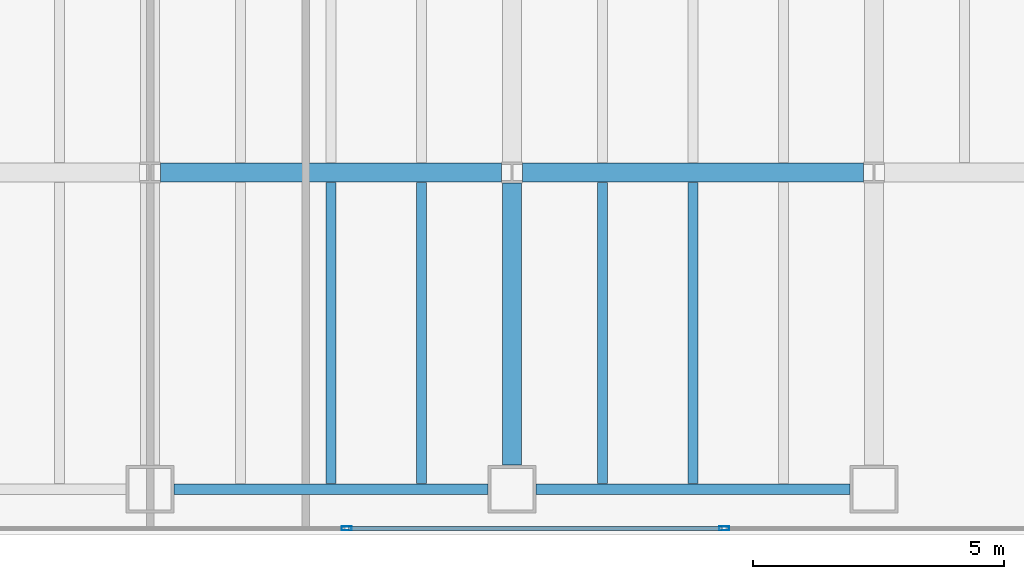
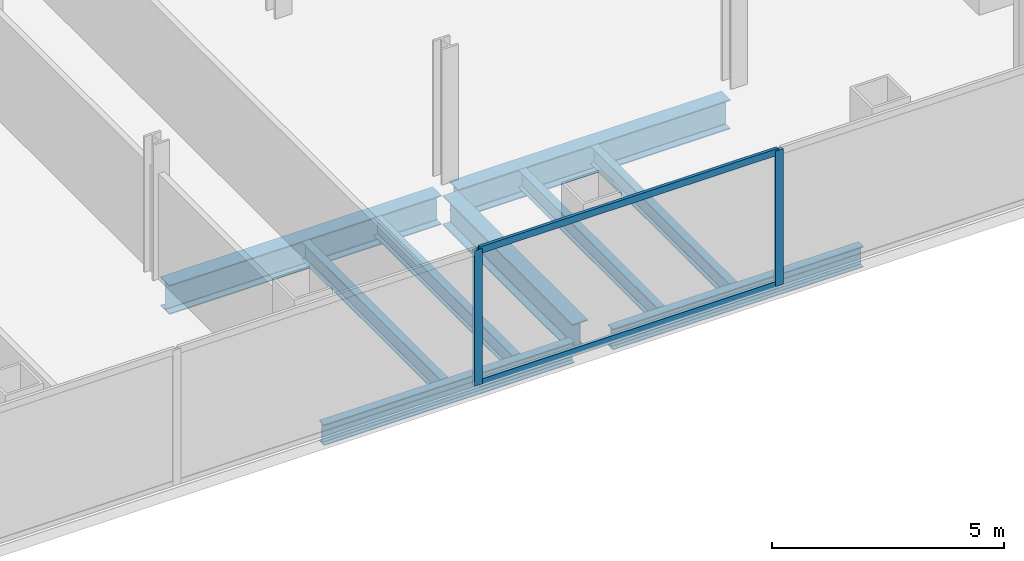
# One storey, part 7 of 23: 9 beams, 4 members, 1 element without a shape of its own.
"""IFC4 building model written with IfcOpenShell, lengths in metres."""

from ifc_helpers import new_model, si_unit, direction, frame, origin, origin_2d, place, context, subcontext, project, spatial, hollow_rectangle, i_section, extrude, material, material_profile, profile_set, type_object, element, aggregate, save


model = new_model("IFC4")

# Units and contexts
model_context = context("Model", 3, precision=1e-05, world=origin(), true_north=direction((0.0, 1.0)))
body_context = subcontext(model_context, "Body", "Model", "MODEL_VIEW")
ifc_project = project(units=[si_unit("LENGTHUNIT", "METRE"), si_unit("AREAUNIT", "SQUARE_METRE"), si_unit("VOLUMEUNIT", "CUBIC_METRE"), si_unit("PLANEANGLEUNIT", "RADIAN"), si_unit("MASSUNIT", "GRAM", prefix="KILO")], contexts=[model_context])

# Site, building, storey
site_placement = place(None, origin())
site = spatial("IfcSite", under=ifc_project, at=site_placement, CompositionType="ELEMENT")
building_placement = place(site_placement, origin())
building = spatial("IfcBuilding", under=site, at=building_placement, Name="Cobrela Telecom Tower", CompositionType="ELEMENT")
storey_placement = place(building_placement, frame((0.0, 0.0, 81.199951171875)))
storey = spatial("IfcBuildingStorey", under=building, at=storey_placement, Name="L20", CompositionType="ELEMENT", Elevation=81.199951171875)

# Beams
ifc_material_1 = material(Name="Steel ASTM A992 Grade 50", Category="steel")
ifc_material_profile_1 = material_profile(ifc_material_1, i_section(OverallWidth=0.381103515625, OverallDepth=0.77197265625, WebThickness=0.0166015625, FlangeThickness=0.027099609375, FilletRadius=0.01904296875, at=origin_2d()), Name="W30X173")
ifc_profile_set_1 = profile_set([ifc_material_profile_1], Name="Steel ASTM A992 Grade 50")
beam_type_1 = type_object("IfcBeamType", Name="BM-GIRD-04", PredefinedType="USERDEFINED", material=ifc_profile_set_1)
for number, where, z_axis, x_axis, name in (
    (1, (29.009521484375, 7.199951171875, -0.666015625), (1.0, 0.0, 0.0), (0.0, 1.0, 0.0), "L20 Primary Girder X10"),
    (2, (36.20947265625, 7.199951171875, -0.666015625), (1.0, 0.0, 0.0), (0.0, 1.0, 0.0), "L20 Primary Girder X11"),
):
    element("IfcBeam", number, at=place(storey_placement, frame(where, z_axis=z_axis, x_axis=x_axis)), inside=storey, type_object=beam_type_1, Name=name, ObjectType="GIRDER", PredefinedType="USERDEFINED", context=body_context, shape_type="SweptSolid", body=[
        extrude(i_section(OverallWidth=0.381103515625, OverallDepth=0.77197265625, WebThickness=0.0166015625, FlangeThickness=0.027099609375, FilletRadius=0.01904296875, at=origin_2d()), origin(), (0.0, 0.0, 1.0), 6.781005859375),
    ])
beam_placement = place(storey_placement, frame((36.0, 1.3798828125, -0.666015625), z_axis=(0.0, 1.0, 0.0), x_axis=(-1.0, 0.0, 0.0)))
element("IfcBeam", 3, at=beam_placement, inside=storey, type_object=beam_type_1, Name="L20 Primary Girder Y50", ObjectType="GIRDER", PredefinedType="USERDEFINED", context=body_context, shape_type="SweptSolid", body=[
    extrude(i_section(OverallWidth=0.381103515625, OverallDepth=0.77197265625, WebThickness=0.0166015625, FlangeThickness=0.027099609375, FilletRadius=0.01904296875, at=origin_2d()), origin(), (0.0, 0.0, 1.0), 5.610595703125),
])
ifc_material_profile_2 = material_profile(ifc_material_1, i_section(OverallWidth=0.193115234375, OverallDepth=0.467041015625, WebThickness=0.011474609375, FlangeThickness=0.01904296875, FilletRadius=0.012939453125, at=origin_2d()), Name="W18X65")
ifc_profile_set_2 = profile_set([ifc_material_profile_2], Name="Steel ASTM A992 Grade 50")
beam_type_2 = type_object("IfcBeamType", Name="BM-JOIST-03", PredefinedType="JOIST", material=ifc_profile_set_2)
for number, where, z_axis, x_axis, name in (
    (4, (32.39990234375, 1.011474609375, -0.513427734375), (0.0, 1.0, 0.0), (-1.0, 0.0, 0.0), "L20 Secondary Composite Floor Beam J44"),
    (5, (34.199951171875, 1.011474609375, -0.513427734375), (0.0, 1.0, 0.0), (-1.0, 0.0, 0.0), "L20 Secondary Composite Floor Beam J47"),
    (6, (37.800048828125, 1.011474609375, -0.513427734375), (0.0, 1.0, 0.0), (-1.0, 0.0, 0.0), "L20 Secondary Composite Floor Beam J50"),
    (7, (39.60009765625, 1.011474609375, -0.513427734375), (0.0, 1.0, 0.0), (-1.0, 0.0, 0.0), "L20 Secondary Composite Floor Beam J53"),
):
    element("IfcBeam", number, at=place(storey_placement, frame(where, z_axis=z_axis, x_axis=x_axis)), inside=storey, type_object=beam_type_2, Name=name, PredefinedType="JOIST", context=body_context, shape_type="SweptSolid", body=[
        extrude(i_section(OverallWidth=0.193115234375, OverallDepth=0.467041015625, WebThickness=0.011474609375, FlangeThickness=0.01904296875, FilletRadius=0.012939453125, at=origin_2d()), origin(), (0.0, 0.0, 1.0), 5.992919921875),
    ])
ifc_material_profile_3 = material_profile(ifc_material_1, i_section(OverallWidth=0.212890625, OverallDepth=0.549072265625, WebThickness=0.0146484375, FlangeThickness=0.023681640625, FilletRadius=0.013916015625, at=origin_2d()), Name="W21X93")
ifc_profile_set_3 = profile_set([ifc_material_profile_3], Name="Steel ASTM A992 Grade 50")
beam_type_3 = type_object("IfcBeamType", Name="BM-SPAND-03", PredefinedType="SPANDREL", material=ifc_profile_set_3)
for number, where, z_axis, x_axis, name in (
    (8, (29.280029296875, 0.89990234375, -0.554443359375), (1.0, 0.0, 0.0), (0.0, 1.0, 0.0), "L20 Perimeter Spandrel X04"),
    (9, (36.47998046875, 0.89990234375, -0.554443359375), (1.0, 0.0, 0.0), (0.0, 1.0, 0.0), "L20 Perimeter Spandrel X05"),
):
    element("IfcBeam", number, at=place(storey_placement, frame(where, z_axis=z_axis, x_axis=x_axis)), inside=storey, type_object=beam_type_3, Name=name, PredefinedType="SPANDREL", context=body_context, shape_type="SweptSolid", body=[
        extrude(i_section(OverallWidth=0.212890625, OverallDepth=0.549072265625, WebThickness=0.0146484375, FlangeThickness=0.023681640625, FilletRadius=0.013916015625, at=origin_2d()), origin(), (0.0, 0.0, 1.0), 6.239990234375),
    ])

# Curtain wall, members
ifc_material_2 = material(Name="Anodized Bronze Aluminium 6063-T6", Category="aluminium")
curtain_wall_type = type_object("IfcCurtainWallType", Name="CW-SYS-DATA", PredefinedType="USERDEFINED", material=ifc_material_2)
curtain_wall_placement = place(storey_placement, origin())
curtain_wall = element("IfcCurtainWall", 10, at=curtain_wall_placement, inside=storey, type_object=curtain_wall_type, Name="L20 Unitised Bronze Curtain Wall 17", ObjectType="UNITISED CURTAIN WALL", PredefinedType="USERDEFINED")
ifc_material_profile_4 = material_profile(ifc_material_2, hollow_rectangle(XDim=0.080078125, YDim=0.199951171875, WallThickness=0.00390625, at=origin_2d()), Name="ALU 80x200x4")
ifc_profile_set_4 = profile_set([ifc_material_profile_4], Name="Anodized Bronze Aluminium 6063-T6")
member_type_1 = type_object("IfcMemberType", Name="CW-SYS-DATA-MUL", PredefinedType="MULLION", material=ifc_profile_set_4)
member_1_placement = place(storey_placement, frame((40.219970703125, 0.1201171875, 0.0), z_axis=(0.0, 0.0, 1.0), x_axis=(0.0, -1.0, 0.0)))
member_1 = element("IfcMember", 11, at=member_1_placement, type_object=member_type_1, Name="CW-DATA mullion 2", PredefinedType="MULLION", context=body_context, shape_type="SweptSolid", body=[
    extrude(hollow_rectangle(XDim=0.080078125, YDim=0.199951171875, WallThickness=0.00390625, at=origin_2d()), origin(), (0.0, 0.0, 1.0), 3.570068359375),
])
member_2_placement = place(storey_placement, frame((32.7099609375, 0.1201171875, 0.0), z_axis=(0.0, 0.0, 1.0), x_axis=(0.0, -1.0, 0.0)))
member_2 = element("IfcMember", 12, at=member_2_placement, type_object=member_type_1, Name="CW-DATA mullion 3", PredefinedType="MULLION", context=body_context, shape_type="SweptSolid", body=[
    extrude(hollow_rectangle(XDim=0.080078125, YDim=0.199951171875, WallThickness=0.00390625, at=origin_2d()), origin(), (0.0, 0.0, 1.0), 3.570068359375),
])
ifc_material_profile_5 = material_profile(ifc_material_2, hollow_rectangle(XDim=0.074951171875, YDim=0.179931640625, WallThickness=0.00390625, at=origin_2d()), Name="ALU 75x180x4")
ifc_profile_set_5 = profile_set([ifc_material_profile_5], Name="Anodized Bronze Aluminium 6063-T6")
member_type_2 = type_object("IfcMemberType", Name="CW-SYS-DATA-TRN", PredefinedType="USERDEFINED", material=ifc_profile_set_5)
member_3_placement = place(storey_placement, frame((40.179931640625, 0.1201171875, 0.03759765625), z_axis=(-1.0, 0.0, 0.0), x_axis=(0.0, -1.0, 0.0)))
member_3 = element("IfcMember", 13, at=member_3_placement, type_object=member_type_2, Name="CW-DATA transom 2.1", ObjectType="TRANSOM", PredefinedType="USERDEFINED", context=body_context, shape_type="SweptSolid", body=[
    extrude(hollow_rectangle(XDim=0.074951171875, YDim=0.179931640625, WallThickness=0.00390625, at=origin_2d()), origin(), (0.0, 0.0, 1.0), 7.429931640625),
])
member_4_placement = place(storey_placement, frame((40.179931640625, 0.1201171875, 3.532470703125), z_axis=(-1.0, 0.0, 0.0), x_axis=(0.0, -1.0, 0.0)))
member_4 = element("IfcMember", 14, at=member_4_placement, type_object=member_type_2, Name="CW-DATA transom 2.2", ObjectType="TRANSOM", PredefinedType="USERDEFINED", context=body_context, shape_type="SweptSolid", body=[
    extrude(hollow_rectangle(XDim=0.074951171875, YDim=0.179931640625, WallThickness=0.00390625, at=origin_2d()), origin(), (0.0, 0.0, 1.0), 7.429931640625),
])
aggregate(curtain_wall, [member_1, member_2, member_3, member_4])

save(model, "model.ifc")
